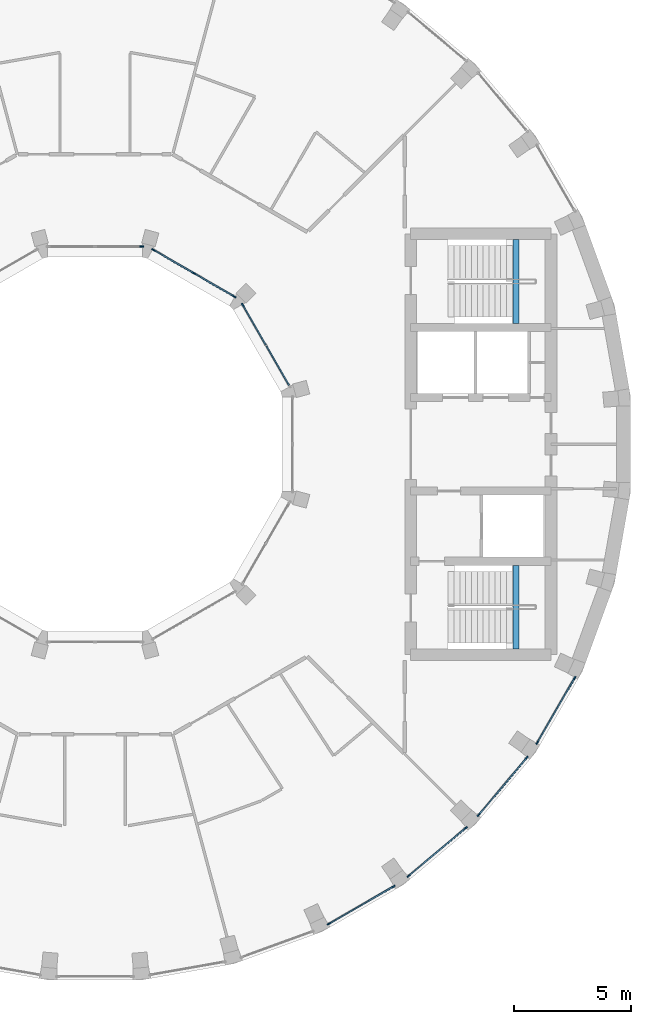
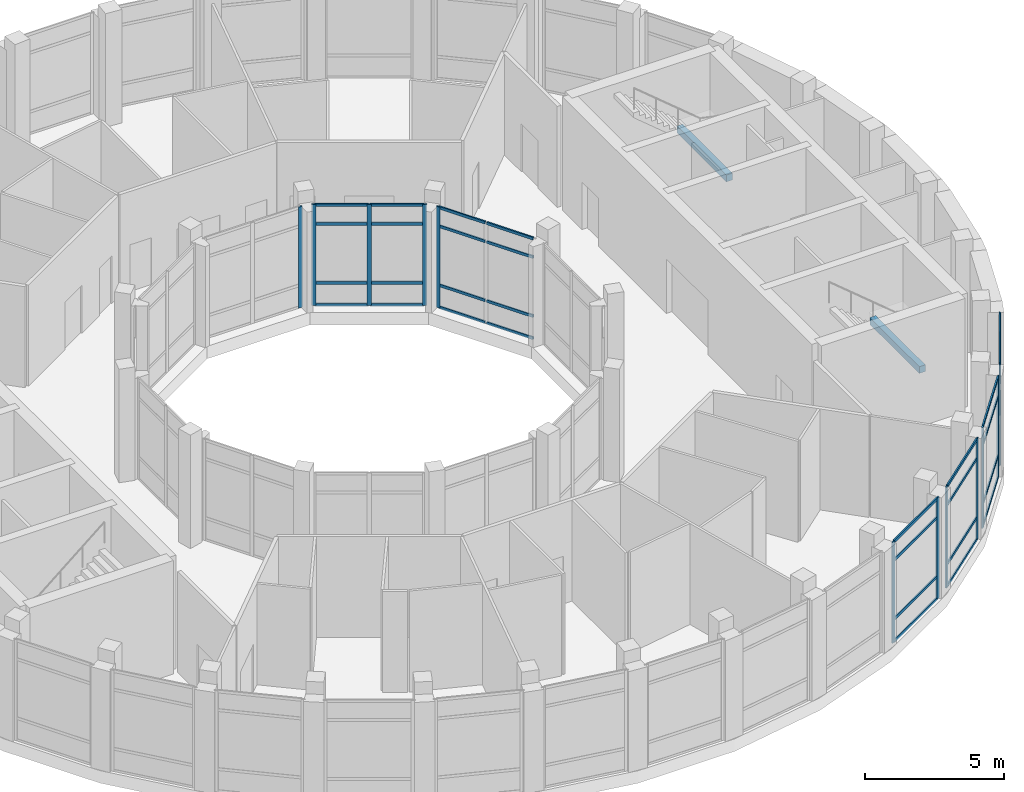
# One storey, part 5 of 16: 45 members, 2 beams, 7 elements without a shape of their own.
"""IFC4 building model written with IfcOpenShell, lengths in metres."""

from ifc_helpers import new_model, si_unit, direction, frame, origin, origin_2d, place, context, subcontext, project, spatial, rectangle, extrude, material, layer, layer_set, material_profile, profile_set, type_object, element, aggregate, save


model = new_model("IFC4")

# Units and contexts
model_context = context("Model", 3, precision=1e-05, world=origin(), true_north=direction((0.0, 1.0)))
body_context = subcontext(model_context, "Body", "Model", "MODEL_VIEW")
ifc_project = project(units=[si_unit("LENGTHUNIT", "METRE"), si_unit("AREAUNIT", "SQUARE_METRE"), si_unit("VOLUMEUNIT", "CUBIC_METRE"), si_unit("PLANEANGLEUNIT", "RADIAN"), si_unit("MASSUNIT", "GRAM", prefix="KILO")], contexts=[model_context])

# Site, building, storey
site_placement = place(None, origin())
site = spatial("IfcSite", under=ifc_project, at=site_placement, CompositionType="ELEMENT")
building_placement = place(site_placement, origin())
building = spatial("IfcBuilding", under=site, at=building_placement, Name="Saqina Gate Tower", CompositionType="ELEMENT")
storey_placement = place(building_placement, frame((0.0, 0.0, 279.199951171875)))
storey = spatial("IfcBuildingStorey", under=building, at=storey_placement, Name="L80", CompositionType="ELEMENT", Elevation=279.199951171875)

# Curtain wall, members
ifc_material_1 = material(Name="Aluminium glazing", Category="aluminium")
ifc_layer_1 = layer(ifc_material_1, 0.159912109375)
ifc_layer_set_1 = layer_set([ifc_layer_1], Name="CWT-2")
curtain_wall_type_1 = type_object("IfcCurtainWallType", Name="CWT-2", PredefinedType="NOTDEFINED", material=ifc_layer_set_1)
curtain_wall_1_placement = place(storey_placement, origin())
curtain_wall_1 = element("IfcCurtainWall", 1, at=curtain_wall_1_placement, inside=storey, type_object=curtain_wall_type_1, Name="Sky lounge glazing facet 30", PredefinedType="NOTDEFINED")
ifc_material_2 = material(Name="Aluminium", Category="aluminium")
ifc_material_profile_1 = material_profile(ifc_material_2, rectangle(XDim=0.06005859375, YDim=0.159912109375, at=origin_2d()), Name="Aluminium 60x160")
ifc_profile_set_1 = profile_set([ifc_material_profile_1], Name="Aluminium")
member_type_1 = type_object("IfcMemberType", Name="CWT-2M", PredefinedType="MULLION", material=ifc_profile_set_1)
member_1_placement = place(storey_placement, frame((9.999267578125, -20.5107421875, 0.0), z_axis=(0.0, 0.0, 1.0), x_axis=(-0.499982449212, 0.8660355365, 0.0)))
member_1 = element("IfcMember", 2, at=member_1_placement, type_object=member_type_1, Name="CW2-30 mullion 1", PredefinedType="MULLION", context=body_context, shape_type="SweptSolid", body=[
    extrude(rectangle(XDim=0.06005859375, YDim=0.159912109375, at=origin_2d()), origin(), (0.0, 0.0, 1.0), 4.449951171875),
])
member_2_placement = place(storey_placement, frame((12.763427734375, -18.9150390625, 0.0), z_axis=(0.0, 0.0, 1.0), x_axis=(-0.499982449212, 0.8660355365, 0.0)))
member_2 = element("IfcMember", 3, at=member_2_placement, type_object=member_type_1, Name="CW2-30 mullion 2", PredefinedType="MULLION", context=body_context, shape_type="SweptSolid", body=[
    extrude(rectangle(XDim=0.06005859375, YDim=0.159912109375, at=origin_2d()), origin(), (0.0, 0.0, 1.0), 4.449951171875),
])

curtain_wall_2_placement = place(storey_placement, origin())
curtain_wall_2 = element("IfcCurtainWall", 4, at=curtain_wall_2_placement, inside=storey, type_object=curtain_wall_type_1, Name="Sky lounge glazing facet 31", PredefinedType="NOTDEFINED")
member_3_placement = place(storey_placement, frame((13.408935546875, -18.462890625, 0.0), z_axis=(0.0, 0.0, 1.0), x_axis=(-0.642785214609, 0.766046452821, 0.0)))
member_3 = element("IfcMember", 5, at=member_3_placement, type_object=member_type_1, Name="CW2-31 mullion 1", PredefinedType="MULLION", context=body_context, shape_type="SweptSolid", body=[
    extrude(rectangle(XDim=0.06005859375, YDim=0.159912109375, at=origin_2d()), origin(), (0.0, 0.0, 1.0), 4.449951171875),
])
member_4_placement = place(storey_placement, frame((15.85400390625, -16.411376953125, 0.0), z_axis=(0.0, 0.0, 1.0), x_axis=(-0.642785214609, 0.766046452821, 0.0)))
member_4 = element("IfcMember", 6, at=member_4_placement, type_object=member_type_1, Name="CW2-31 mullion 2", PredefinedType="MULLION", context=body_context, shape_type="SweptSolid", body=[
    extrude(rectangle(XDim=0.06005859375, YDim=0.159912109375, at=origin_2d()), origin(), (0.0, 0.0, 1.0), 4.449951171875),
])

curtain_wall_3_placement = place(storey_placement, origin())
curtain_wall_3 = element("IfcCurtainWall", 7, at=curtain_wall_3_placement, inside=storey, type_object=curtain_wall_type_1, Name="Sky lounge glazing facet 32", PredefinedType="NOTDEFINED")
member_5_placement = place(storey_placement, frame((16.411376953125, -15.85400390625, 0.0), z_axis=(0.0, 0.0, 1.0), x_axis=(-0.766046452821, 0.642785214609, 0.0)))
member_5 = element("IfcMember", 8, at=member_5_placement, type_object=member_type_1, Name="CW2-32 mullion 1", PredefinedType="MULLION", context=body_context, shape_type="SweptSolid", body=[
    extrude(rectangle(XDim=0.06005859375, YDim=0.159912109375, at=origin_2d()), origin(), (0.0, 0.0, 1.0), 4.449951171875),
])
member_6_placement = place(storey_placement, frame((18.462890625, -13.408935546875, 0.0), z_axis=(0.0, 0.0, 1.0), x_axis=(-0.766046452821, 0.642785214609, 0.0)))
member_6 = element("IfcMember", 9, at=member_6_placement, type_object=member_type_1, Name="CW2-32 mullion 2", PredefinedType="MULLION", context=body_context, shape_type="SweptSolid", body=[
    extrude(rectangle(XDim=0.06005859375, YDim=0.159912109375, at=origin_2d()), origin(), (0.0, 0.0, 1.0), 4.449951171875),
])

curtain_wall_4_placement = place(storey_placement, origin())
curtain_wall_4 = element("IfcCurtainWall", 10, at=curtain_wall_4_placement, inside=storey, type_object=curtain_wall_type_1, Name="Sky lounge glazing facet 33", PredefinedType="NOTDEFINED")
member_7_placement = place(storey_placement, frame((18.9150390625, -12.763427734375, 0.0), z_axis=(0.0, 0.0, 1.0), x_axis=(-0.8660355365, 0.499982449212, 0.0)))
member_7 = element("IfcMember", 11, at=member_7_placement, type_object=member_type_1, Name="CW2-33 mullion 1", PredefinedType="MULLION", context=body_context, shape_type="SweptSolid", body=[
    extrude(rectangle(XDim=0.06005859375, YDim=0.159912109375, at=origin_2d()), origin(), (0.0, 0.0, 1.0), 4.449951171875),
])
member_8_placement = place(storey_placement, frame((20.5107421875, -9.999267578125, 0.0), z_axis=(0.0, 0.0, 1.0), x_axis=(-0.8660355365, 0.499982449212, 0.0)))
member_8 = element("IfcMember", 12, at=member_8_placement, type_object=member_type_1, Name="CW2-33 mullion 2", PredefinedType="MULLION", context=body_context, shape_type="SweptSolid", body=[
    extrude(rectangle(XDim=0.06005859375, YDim=0.159912109375, at=origin_2d()), origin(), (0.0, 0.0, 1.0), 4.449951171875),
])

# Member
ifc_material_3 = material(Name="Aluminium", Category="aluminium")
ifc_material_profile_2 = material_profile(ifc_material_3, rectangle(XDim=0.06005859375, YDim=0.1201171875, at=origin_2d()), Name="Aluminium 60x120")
ifc_profile_set_2 = profile_set([ifc_material_profile_2], Name="Aluminium")
member_type_2 = type_object("IfcMemberType", Name="CWT-2T", PredefinedType="USERDEFINED", material=ifc_profile_set_2)
member_9_placement = place(storey_placement, frame((10.025146484375, -20.495849609375, 0.030029296875), z_axis=(0.866018117109, 0.50001262068, 0.0), x_axis=(-0.50001262068, 0.866018117109, 0.0)))
member_9 = element("IfcMember", 13, at=member_9_placement, type_object=member_type_2, Name="CW2-30 transom 1.1", ObjectType="TRANSOM", PredefinedType="USERDEFINED", context=body_context, shape_type="SweptSolid", body=[
    extrude(rectangle(XDim=0.06005859375, YDim=0.1201171875, at=origin_2d()), origin(), (0.0, 0.0, 1.0), 3.1318359375),
])

member_10_placement = place(storey_placement, frame((10.025146484375, -20.495849609375, 1.0), z_axis=(0.866018117109, 0.50001262068, 0.0), x_axis=(-0.50001262068, 0.866018117109, 0.0)))
member_10 = element("IfcMember", 14, at=member_10_placement, type_object=member_type_2, Name="CW2-30 transom 1.2", ObjectType="TRANSOM", PredefinedType="USERDEFINED", context=body_context, shape_type="SweptSolid", body=[
    extrude(rectangle(XDim=0.06005859375, YDim=0.1201171875, at=origin_2d()), origin(), (0.0, 0.0, 1.0), 3.1318359375),
])

member_11_placement = place(storey_placement, frame((10.025146484375, -20.495849609375, 3.60009765625), z_axis=(0.866018117109, 0.50001262068, 0.0), x_axis=(-0.50001262068, 0.866018117109, 0.0)))
member_11 = element("IfcMember", 15, at=member_11_placement, type_object=member_type_2, Name="CW2-30 transom 1.3", ObjectType="TRANSOM", PredefinedType="USERDEFINED", context=body_context, shape_type="SweptSolid", body=[
    extrude(rectangle(XDim=0.06005859375, YDim=0.1201171875, at=origin_2d()), origin(), (0.0, 0.0, 1.0), 3.1318359375),
])

member_12_placement = place(storey_placement, frame((10.025146484375, -20.495849609375, 4.420166015625), z_axis=(0.866018117109, 0.50001262068, 0.0), x_axis=(-0.50001262068, 0.866018117109, 0.0)))
member_12 = element("IfcMember", 16, at=member_12_placement, type_object=member_type_2, Name="CW2-30 transom 1.4", ObjectType="TRANSOM", PredefinedType="USERDEFINED", context=body_context, shape_type="SweptSolid", body=[
    extrude(rectangle(XDim=0.06005859375, YDim=0.1201171875, at=origin_2d()), origin(), (0.0, 0.0, 1.0), 3.1318359375),
])

aggregate(curtain_wall_1, [member_1, member_2, member_9, member_10, member_11, member_12])

member_13_placement = place(storey_placement, frame((13.431884765625, -18.443603515625, 0.030029296875), z_axis=(0.766076382206, 0.642749544244, 0.0), x_axis=(-0.642749544244, 0.766076382206, 0.0)))
member_13 = element("IfcMember", 17, at=member_13_placement, type_object=member_type_2, Name="CW2-31 transom 1.1", ObjectType="TRANSOM", PredefinedType="USERDEFINED", context=body_context, shape_type="SweptSolid", body=[
    extrude(rectangle(XDim=0.06005859375, YDim=0.1201171875, at=origin_2d()), origin(), (0.0, 0.0, 1.0), 3.1318359375),
])

member_14_placement = place(storey_placement, frame((13.431884765625, -18.443603515625, 1.0), z_axis=(0.766076382206, 0.642749544244, 0.0), x_axis=(-0.642749544244, 0.766076382206, 0.0)))
member_14 = element("IfcMember", 18, at=member_14_placement, type_object=member_type_2, Name="CW2-31 transom 1.2", ObjectType="TRANSOM", PredefinedType="USERDEFINED", context=body_context, shape_type="SweptSolid", body=[
    extrude(rectangle(XDim=0.06005859375, YDim=0.1201171875, at=origin_2d()), origin(), (0.0, 0.0, 1.0), 3.1318359375),
])

member_15_placement = place(storey_placement, frame((13.431884765625, -18.443603515625, 3.60009765625), z_axis=(0.766076382206, 0.642749544244, 0.0), x_axis=(-0.642749544244, 0.766076382206, 0.0)))
member_15 = element("IfcMember", 19, at=member_15_placement, type_object=member_type_2, Name="CW2-31 transom 1.3", ObjectType="TRANSOM", PredefinedType="USERDEFINED", context=body_context, shape_type="SweptSolid", body=[
    extrude(rectangle(XDim=0.06005859375, YDim=0.1201171875, at=origin_2d()), origin(), (0.0, 0.0, 1.0), 3.1318359375),
])

member_16_placement = place(storey_placement, frame((13.431884765625, -18.443603515625, 4.420166015625), z_axis=(0.766076382206, 0.642749544244, 0.0), x_axis=(-0.642749544244, 0.766076382206, 0.0)))
member_16 = element("IfcMember", 20, at=member_16_placement, type_object=member_type_2, Name="CW2-31 transom 1.4", ObjectType="TRANSOM", PredefinedType="USERDEFINED", context=body_context, shape_type="SweptSolid", body=[
    extrude(rectangle(XDim=0.06005859375, YDim=0.1201171875, at=origin_2d()), origin(), (0.0, 0.0, 1.0), 3.1318359375),
])

aggregate(curtain_wall_2, [member_3, member_4, member_13, member_14, member_15, member_16])

member_17_placement = place(storey_placement, frame((16.4306640625, -15.8310546875, 0.030029296875), z_axis=(0.642749544244, 0.766076382206, 0.0), x_axis=(-0.766076382206, 0.642749544244, 0.0)))
member_17 = element("IfcMember", 21, at=member_17_placement, type_object=member_type_2, Name="CW2-32 transom 1.1", ObjectType="TRANSOM", PredefinedType="USERDEFINED", context=body_context, shape_type="SweptSolid", body=[
    extrude(rectangle(XDim=0.06005859375, YDim=0.1201171875, at=origin_2d()), origin(), (0.0, 0.0, 1.0), 3.1318359375),
])

member_18_placement = place(storey_placement, frame((16.4306640625, -15.8310546875, 1.0), z_axis=(0.642749544244, 0.766076382206, 0.0), x_axis=(-0.766076382206, 0.642749544244, 0.0)))
member_18 = element("IfcMember", 22, at=member_18_placement, type_object=member_type_2, Name="CW2-32 transom 1.2", ObjectType="TRANSOM", PredefinedType="USERDEFINED", context=body_context, shape_type="SweptSolid", body=[
    extrude(rectangle(XDim=0.06005859375, YDim=0.1201171875, at=origin_2d()), origin(), (0.0, 0.0, 1.0), 3.1318359375),
])

member_19_placement = place(storey_placement, frame((16.4306640625, -15.8310546875, 3.60009765625), z_axis=(0.642749544244, 0.766076382206, 0.0), x_axis=(-0.766076382206, 0.642749544244, 0.0)))
member_19 = element("IfcMember", 23, at=member_19_placement, type_object=member_type_2, Name="CW2-32 transom 1.3", ObjectType="TRANSOM", PredefinedType="USERDEFINED", context=body_context, shape_type="SweptSolid", body=[
    extrude(rectangle(XDim=0.06005859375, YDim=0.1201171875, at=origin_2d()), origin(), (0.0, 0.0, 1.0), 3.1318359375),
])

member_20_placement = place(storey_placement, frame((16.4306640625, -15.8310546875, 4.420166015625), z_axis=(0.642749544244, 0.766076382206, 0.0), x_axis=(-0.766076382206, 0.642749544244, 0.0)))
member_20 = element("IfcMember", 24, at=member_20_placement, type_object=member_type_2, Name="CW2-32 transom 1.4", ObjectType="TRANSOM", PredefinedType="USERDEFINED", context=body_context, shape_type="SweptSolid", body=[
    extrude(rectangle(XDim=0.06005859375, YDim=0.1201171875, at=origin_2d()), origin(), (0.0, 0.0, 1.0), 3.1318359375),
])

aggregate(curtain_wall_3, [member_5, member_6, member_17, member_18, member_19, member_20])

member_21_placement = place(storey_placement, frame((18.929931640625, -12.7373046875, 0.030029296875), z_axis=(0.50001262068, 0.866018117109, 0.0), x_axis=(-0.866018117109, 0.50001262068, 0.0)))
member_21 = element("IfcMember", 25, at=member_21_placement, type_object=member_type_2, Name="CW2-33 transom 1.1", ObjectType="TRANSOM", PredefinedType="USERDEFINED", context=body_context, shape_type="SweptSolid", body=[
    extrude(rectangle(XDim=0.06005859375, YDim=0.1201171875, at=origin_2d()), origin(), (0.0, 0.0, 1.0), 3.1318359375),
])

member_22_placement = place(storey_placement, frame((18.929931640625, -12.7373046875, 1.0), z_axis=(0.50001262068, 0.866018117109, 0.0), x_axis=(-0.866018117109, 0.50001262068, 0.0)))
member_22 = element("IfcMember", 26, at=member_22_placement, type_object=member_type_2, Name="CW2-33 transom 1.2", ObjectType="TRANSOM", PredefinedType="USERDEFINED", context=body_context, shape_type="SweptSolid", body=[
    extrude(rectangle(XDim=0.06005859375, YDim=0.1201171875, at=origin_2d()), origin(), (0.0, 0.0, 1.0), 3.1318359375),
])

member_23_placement = place(storey_placement, frame((18.929931640625, -12.7373046875, 3.60009765625), z_axis=(0.50001262068, 0.866018117109, 0.0), x_axis=(-0.866018117109, 0.50001262068, 0.0)))
member_23 = element("IfcMember", 27, at=member_23_placement, type_object=member_type_2, Name="CW2-33 transom 1.3", ObjectType="TRANSOM", PredefinedType="USERDEFINED", context=body_context, shape_type="SweptSolid", body=[
    extrude(rectangle(XDim=0.06005859375, YDim=0.1201171875, at=origin_2d()), origin(), (0.0, 0.0, 1.0), 3.1318359375),
])

member_24_placement = place(storey_placement, frame((18.929931640625, -12.7373046875, 4.420166015625), z_axis=(0.50001262068, 0.866018117109, 0.0), x_axis=(-0.866018117109, 0.50001262068, 0.0)))
member_24 = element("IfcMember", 28, at=member_24_placement, type_object=member_type_2, Name="CW2-33 transom 1.4", ObjectType="TRANSOM", PredefinedType="USERDEFINED", context=body_context, shape_type="SweptSolid", body=[
    extrude(rectangle(XDim=0.06005859375, YDim=0.1201171875, at=origin_2d()), origin(), (0.0, 0.0, 1.0), 3.1318359375),
])

aggregate(curtain_wall_4, [member_7, member_8, member_21, member_22, member_23, member_24])

# Curtain wall, member
ifc_material_4 = material(Name="Aluminium glazing", Category="aluminium")
ifc_layer_2 = layer(ifc_material_4, 0.159912109375)
ifc_layer_set_2 = layer_set([ifc_layer_2], Name="CWT-3")
curtain_wall_type_2 = type_object("IfcCurtainWallType", Name="CWT-3", PredefinedType="NOTDEFINED", material=ifc_layer_set_2)
curtain_wall_5_placement = place(storey_placement, origin())
curtain_wall_5 = element("IfcCurtainWall", 29, at=curtain_wall_5_placement, inside=storey, type_object=curtain_wall_type_2, Name="Sky lounge well glazing L80 facet 1", PredefinedType="NOTDEFINED")
ifc_material_5 = material(Name="Aluminium", Category="aluminium")
ifc_material_profile_3 = material_profile(ifc_material_5, rectangle(XDim=0.06005859375, YDim=0.159912109375, at=origin_2d()), Name="Aluminium 60x160")
ifc_profile_set_3 = profile_set([ifc_material_profile_3], Name="Aluminium")
member_type_3 = type_object("IfcMemberType", Name="CWT-3M", PredefinedType="MULLION", material=ifc_profile_set_3)
member_25_placement = place(storey_placement, frame((6.318115234375, 5.95654296875, 0.0), z_axis=(0.0, 0.0, 1.0), x_axis=(-0.866023931115, -0.500002550729, 0.0)))
member_25 = element("IfcMember", 30, at=member_25_placement, type_object=member_type_3, Name="CW3-01 mullion 3", PredefinedType="MULLION", context=body_context, shape_type="SweptSolid", body=[
    extrude(rectangle(XDim=0.06005859375, YDim=0.159912109375, at=origin_2d()), origin(), (0.0, 0.0, 1.0), 4.449951171875),
])

# Curtain wall, members
curtain_wall_6_placement = place(storey_placement, origin())
curtain_wall_6 = element("IfcCurtainWall", 31, at=curtain_wall_6_placement, inside=storey, type_object=curtain_wall_type_2, Name="Sky lounge well glazing L80 facet 2", PredefinedType="NOTDEFINED")
member_26_placement = place(storey_placement, frame((5.95654296875, 6.318115234375, 0.0), z_axis=(0.0, 0.0, 1.0), x_axis=(-0.500002550729, -0.866023931115, 0.0)))
member_26 = element("IfcMember", 32, at=member_26_placement, type_object=member_type_3, Name="CW3-02 mullion 1", PredefinedType="MULLION", context=body_context, shape_type="SweptSolid", body=[
    extrude(rectangle(XDim=0.06005859375, YDim=0.159912109375, at=origin_2d()), origin(), (0.0, 0.0, 1.0), 4.449951171875),
])
member_27_placement = place(storey_placement, frame((4.22509765625, 7.31787109375, 0.0), z_axis=(0.0, 0.0, 1.0), x_axis=(-0.500002550729, -0.866023931115, 0.0)))
member_27 = element("IfcMember", 33, at=member_27_placement, type_object=member_type_3, Name="CW3-02 mullion 2", PredefinedType="MULLION", context=body_context, shape_type="SweptSolid", body=[
    extrude(rectangle(XDim=0.06005859375, YDim=0.159912109375, at=origin_2d()), origin(), (0.0, 0.0, 1.0), 4.449951171875),
])
member_28_placement = place(storey_placement, frame((2.493408203125, 8.317626953125, 0.0), z_axis=(0.0, 0.0, 1.0), x_axis=(-0.500002550729, -0.866023931115, 0.0)))
member_28 = element("IfcMember", 34, at=member_28_placement, type_object=member_type_3, Name="CW3-02 mullion 3", PredefinedType="MULLION", context=body_context, shape_type="SweptSolid", body=[
    extrude(rectangle(XDim=0.06005859375, YDim=0.159912109375, at=origin_2d()), origin(), (0.0, 0.0, 1.0), 4.449951171875),
])

# Curtain wall, member
curtain_wall_7_placement = place(storey_placement, origin())
curtain_wall_7 = element("IfcCurtainWall", 35, at=curtain_wall_7_placement, inside=storey, type_object=curtain_wall_type_2, Name="Sky lounge well glazing L80 facet 3", PredefinedType="NOTDEFINED")
member_29_placement = place(storey_placement, frame((1.99951171875, 8.449951171875, 0.0), z_axis=(0.0, 0.0, 1.0), x_axis=(0.0, -1.0, 0.0)))
member_29 = element("IfcMember", 36, at=member_29_placement, type_object=member_type_3, Name="CW3-03 mullion 1", PredefinedType="MULLION", context=body_context, shape_type="SweptSolid", body=[
    extrude(rectangle(XDim=0.06005859375, YDim=0.159912109375, at=origin_2d()), origin(), (0.0, 0.0, 1.0), 4.449951171875),
])
aggregate(curtain_wall_7, [member_29])

# Member
ifc_material_6 = material(Name="Aluminium", Category="aluminium")
ifc_material_profile_4 = material_profile(ifc_material_6, rectangle(XDim=0.06005859375, YDim=0.1201171875, at=origin_2d()), Name="Aluminium 60x120")
ifc_profile_set_4 = profile_set([ifc_material_profile_4], Name="Aluminium")
member_type_4 = type_object("IfcMemberType", Name="CWT-3T", PredefinedType="USERDEFINED", material=ifc_profile_set_4)
member_30_placement = place(storey_placement, frame((8.302490234375, 2.51953125, 0.030029296875), z_axis=(-0.499944052521, 0.866057702667, 0.0), x_axis=(-0.866057702667, -0.499944052521, 0.0)))
member_30 = element("IfcMember", 37, at=member_30_placement, type_object=member_type_4, Name="CW3-01 transom 1.1", ObjectType="TRANSOM", PredefinedType="USERDEFINED", context=body_context, shape_type="SweptSolid", body=[
    extrude(rectangle(XDim=0.06005859375, YDim=0.1201171875, at=origin_2d()), origin(), (0.0, 0.0, 1.0), 1.939208984375),
])

member_31_placement = place(storey_placement, frame((8.302490234375, 2.51953125, 1.0), z_axis=(-0.499944052521, 0.866057702667, 0.0), x_axis=(-0.866057702667, -0.499944052521, 0.0)))
member_31 = element("IfcMember", 38, at=member_31_placement, type_object=member_type_4, Name="CW3-01 transom 1.2", ObjectType="TRANSOM", PredefinedType="USERDEFINED", context=body_context, shape_type="SweptSolid", body=[
    extrude(rectangle(XDim=0.06005859375, YDim=0.1201171875, at=origin_2d()), origin(), (0.0, 0.0, 1.0), 1.939208984375),
])

member_32_placement = place(storey_placement, frame((8.302490234375, 2.51953125, 3.60009765625), z_axis=(-0.499944052521, 0.866057702667, 0.0), x_axis=(-0.866057702667, -0.499944052521, 0.0)))
member_32 = element("IfcMember", 39, at=member_32_placement, type_object=member_type_4, Name="CW3-01 transom 1.3", ObjectType="TRANSOM", PredefinedType="USERDEFINED", context=body_context, shape_type="SweptSolid", body=[
    extrude(rectangle(XDim=0.06005859375, YDim=0.1201171875, at=origin_2d()), origin(), (0.0, 0.0, 1.0), 1.939208984375),
])

member_33_placement = place(storey_placement, frame((8.302490234375, 2.51953125, 4.420166015625), z_axis=(-0.499944052521, 0.866057702667, 0.0), x_axis=(-0.866057702667, -0.499944052521, 0.0)))
member_33 = element("IfcMember", 40, at=member_33_placement, type_object=member_type_4, Name="CW3-01 transom 1.4", ObjectType="TRANSOM", PredefinedType="USERDEFINED", context=body_context, shape_type="SweptSolid", body=[
    extrude(rectangle(XDim=0.06005859375, YDim=0.1201171875, at=origin_2d()), origin(), (0.0, 0.0, 1.0), 1.939208984375),
])

member_34_placement = place(storey_placement, frame((7.302978515625, 4.2509765625, 0.030029296875), z_axis=(-0.500038474733, 0.866003189247, 0.0), x_axis=(-0.866003189247, -0.500038474733, 0.0)))
member_34 = element("IfcMember", 41, at=member_34_placement, type_object=member_type_4, Name="CW3-01 transom 2.1", ObjectType="TRANSOM", PredefinedType="USERDEFINED", context=body_context, shape_type="SweptSolid", body=[
    extrude(rectangle(XDim=0.06005859375, YDim=0.1201171875, at=origin_2d()), origin(), (0.0, 0.0, 1.0), 1.939208984375),
])

member_35_placement = place(storey_placement, frame((7.302978515625, 4.2509765625, 1.0), z_axis=(-0.500038474733, 0.866003189247, 0.0), x_axis=(-0.866003189247, -0.500038474733, 0.0)))
member_35 = element("IfcMember", 42, at=member_35_placement, type_object=member_type_4, Name="CW3-01 transom 2.2", ObjectType="TRANSOM", PredefinedType="USERDEFINED", context=body_context, shape_type="SweptSolid", body=[
    extrude(rectangle(XDim=0.06005859375, YDim=0.1201171875, at=origin_2d()), origin(), (0.0, 0.0, 1.0), 1.939208984375),
])

member_36_placement = place(storey_placement, frame((7.302978515625, 4.2509765625, 3.60009765625), z_axis=(-0.500038474733, 0.866003189247, 0.0), x_axis=(-0.866003189247, -0.500038474733, 0.0)))
member_36 = element("IfcMember", 43, at=member_36_placement, type_object=member_type_4, Name="CW3-01 transom 2.3", ObjectType="TRANSOM", PredefinedType="USERDEFINED", context=body_context, shape_type="SweptSolid", body=[
    extrude(rectangle(XDim=0.06005859375, YDim=0.1201171875, at=origin_2d()), origin(), (0.0, 0.0, 1.0), 1.939208984375),
])

member_37_placement = place(storey_placement, frame((7.302978515625, 4.2509765625, 4.420166015625), z_axis=(-0.500038474733, 0.866003189247, 0.0), x_axis=(-0.866003189247, -0.500038474733, 0.0)))
member_37 = element("IfcMember", 44, at=member_37_placement, type_object=member_type_4, Name="CW3-01 transom 2.4", ObjectType="TRANSOM", PredefinedType="USERDEFINED", context=body_context, shape_type="SweptSolid", body=[
    extrude(rectangle(XDim=0.06005859375, YDim=0.1201171875, at=origin_2d()), origin(), (0.0, 0.0, 1.0), 1.939208984375),
])

aggregate(curtain_wall_5, [member_25, member_30, member_31, member_32, member_33, member_34, member_35, member_36, member_37])

member_38_placement = place(storey_placement, frame((5.930419921875, 6.333251953125, 0.030029296875), z_axis=(-0.866003189247, 0.500038474733, 0.0), x_axis=(-0.500038474733, -0.866003189247, 0.0)))
member_38 = element("IfcMember", 45, at=member_38_placement, type_object=member_type_4, Name="CW3-02 transom 1.1", ObjectType="TRANSOM", PredefinedType="USERDEFINED", context=body_context, shape_type="SweptSolid", body=[
    extrude(rectangle(XDim=0.06005859375, YDim=0.1201171875, at=origin_2d()), origin(), (0.0, 0.0, 1.0), 1.939208984375),
])

member_39_placement = place(storey_placement, frame((5.930419921875, 6.333251953125, 1.0), z_axis=(-0.866003189247, 0.500038474733, 0.0), x_axis=(-0.500038474733, -0.866003189247, 0.0)))
member_39 = element("IfcMember", 46, at=member_39_placement, type_object=member_type_4, Name="CW3-02 transom 1.2", ObjectType="TRANSOM", PredefinedType="USERDEFINED", context=body_context, shape_type="SweptSolid", body=[
    extrude(rectangle(XDim=0.06005859375, YDim=0.1201171875, at=origin_2d()), origin(), (0.0, 0.0, 1.0), 1.939208984375),
])

member_40_placement = place(storey_placement, frame((5.930419921875, 6.333251953125, 3.60009765625), z_axis=(-0.866003189247, 0.500038474733, 0.0), x_axis=(-0.500038474733, -0.866003189247, 0.0)))
member_40 = element("IfcMember", 47, at=member_40_placement, type_object=member_type_4, Name="CW3-02 transom 1.3", ObjectType="TRANSOM", PredefinedType="USERDEFINED", context=body_context, shape_type="SweptSolid", body=[
    extrude(rectangle(XDim=0.06005859375, YDim=0.1201171875, at=origin_2d()), origin(), (0.0, 0.0, 1.0), 1.939208984375),
])

member_41_placement = place(storey_placement, frame((5.930419921875, 6.333251953125, 4.420166015625), z_axis=(-0.866003189247, 0.500038474733, 0.0), x_axis=(-0.500038474733, -0.866003189247, 0.0)))
member_41 = element("IfcMember", 48, at=member_41_placement, type_object=member_type_4, Name="CW3-02 transom 1.4", ObjectType="TRANSOM", PredefinedType="USERDEFINED", context=body_context, shape_type="SweptSolid", body=[
    extrude(rectangle(XDim=0.06005859375, YDim=0.1201171875, at=origin_2d()), origin(), (0.0, 0.0, 1.0), 1.939208984375),
])

member_42_placement = place(storey_placement, frame((4.198974609375, 7.3330078125, 0.030029296875), z_axis=(-0.866057702667, 0.499944052521, 0.0), x_axis=(-0.499944052521, -0.866057702667, 0.0)))
member_42 = element("IfcMember", 49, at=member_42_placement, type_object=member_type_4, Name="CW3-02 transom 2.1", ObjectType="TRANSOM", PredefinedType="USERDEFINED", context=body_context, shape_type="SweptSolid", body=[
    extrude(rectangle(XDim=0.06005859375, YDim=0.1201171875, at=origin_2d()), origin(), (0.0, 0.0, 1.0), 1.939208984375),
])

member_43_placement = place(storey_placement, frame((4.198974609375, 7.3330078125, 1.0), z_axis=(-0.866057702667, 0.499944052521, 0.0), x_axis=(-0.499944052521, -0.866057702667, 0.0)))
member_43 = element("IfcMember", 50, at=member_43_placement, type_object=member_type_4, Name="CW3-02 transom 2.2", ObjectType="TRANSOM", PredefinedType="USERDEFINED", context=body_context, shape_type="SweptSolid", body=[
    extrude(rectangle(XDim=0.06005859375, YDim=0.1201171875, at=origin_2d()), origin(), (0.0, 0.0, 1.0), 1.939208984375),
])

member_44_placement = place(storey_placement, frame((4.198974609375, 7.3330078125, 3.60009765625), z_axis=(-0.866057702667, 0.499944052521, 0.0), x_axis=(-0.499944052521, -0.866057702667, 0.0)))
member_44 = element("IfcMember", 51, at=member_44_placement, type_object=member_type_4, Name="CW3-02 transom 2.3", ObjectType="TRANSOM", PredefinedType="USERDEFINED", context=body_context, shape_type="SweptSolid", body=[
    extrude(rectangle(XDim=0.06005859375, YDim=0.1201171875, at=origin_2d()), origin(), (0.0, 0.0, 1.0), 1.939208984375),
])

member_45_placement = place(storey_placement, frame((4.198974609375, 7.3330078125, 4.420166015625), z_axis=(-0.866057702667, 0.499944052521, 0.0), x_axis=(-0.499944052521, -0.866057702667, 0.0)))
member_45 = element("IfcMember", 52, at=member_45_placement, type_object=member_type_4, Name="CW3-02 transom 2.4", ObjectType="TRANSOM", PredefinedType="USERDEFINED", context=body_context, shape_type="SweptSolid", body=[
    extrude(rectangle(XDim=0.06005859375, YDim=0.1201171875, at=origin_2d()), origin(), (0.0, 0.0, 1.0), 1.939208984375),
])

aggregate(curtain_wall_6, [member_26, member_27, member_28, member_38, member_39, member_40, member_41, member_42, member_43, member_44, member_45])

# Beams
ifc_material_7 = material(Name="Concrete C40/50", Category="concrete")
ifc_material_profile_5 = material_profile(ifc_material_7, rectangle(XDim=0.25, YDim=0.300048828125, at=origin_2d()), Name="STAIR LANDING BEAM")
ifc_profile_set_5 = profile_set([ifc_material_profile_5], Name="Concrete C40/50")
beam_type = type_object("IfcBeamType", Name="STAIR LANDING BEAM", PredefinedType="BEAM", material=ifc_profile_set_5)
for number, where, z_axis, x_axis, name in (
    (53, (18.0, 5.175048828125, 2.10009765625), (0.0, 1.0, 0.0), (-1.0, 0.0, 0.0), "EXIT STAIR 1 LANDING BEAM"),
    (54, (18.0, -8.75, 2.10009765625), (0.0, 1.0, 0.0), (-1.0, 0.0, 0.0), "EXIT STAIR 2 LANDING BEAM"),
):
    element("IfcBeam", number, at=place(storey_placement, frame(where, z_axis=z_axis, x_axis=x_axis)), inside=storey, type_object=beam_type, Name=name, PredefinedType="BEAM", context=body_context, shape_type="SweptSolid", body=[
        extrude(rectangle(XDim=0.25, YDim=0.300048828125, at=origin_2d()), origin(), (0.0, 0.0, 1.0), 3.574951171875),
    ])

save(model, "model.ifc")
